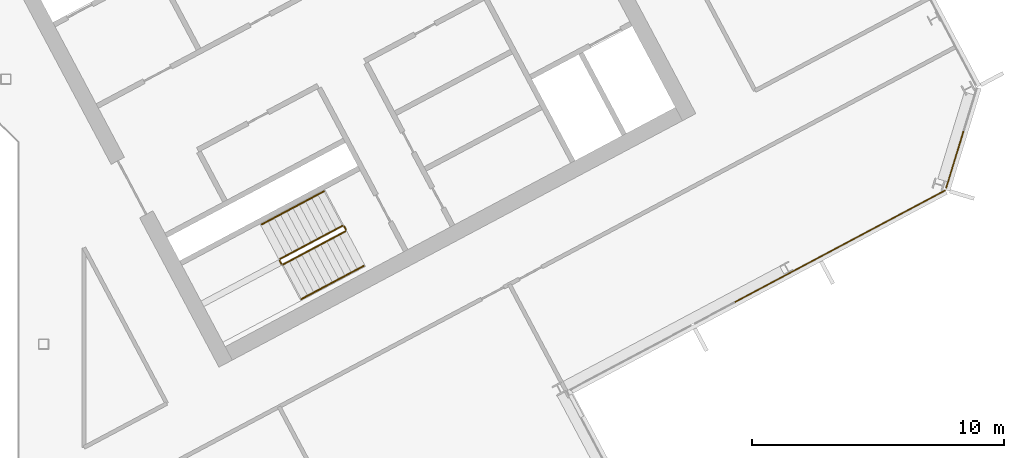
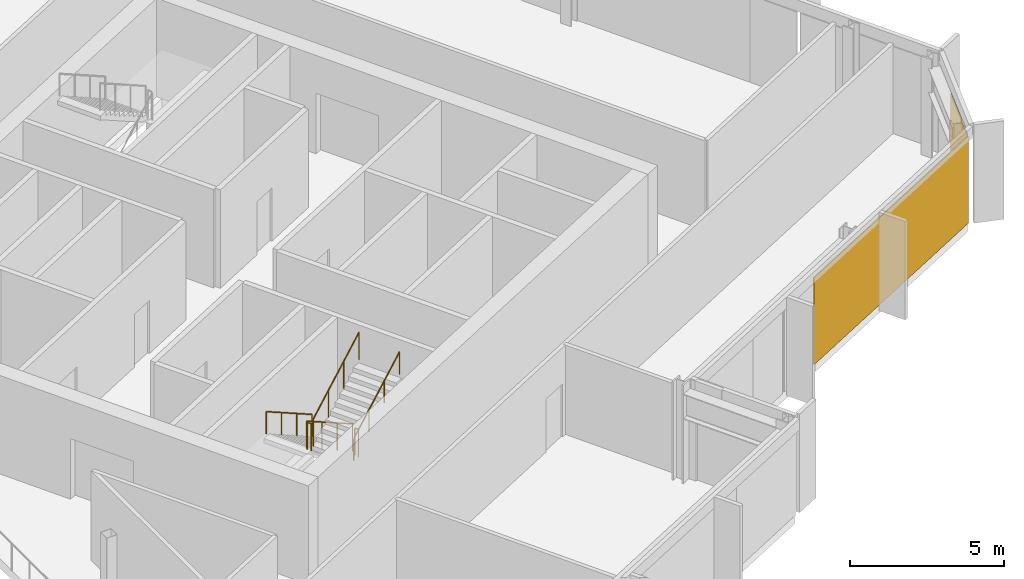
# One storey, part 24 of 26: 6 railings, 2 coverings, 2 elements without a shape of their own.
"""IFC4 building model written with IfcOpenShell, lengths in metres."""

from ifc_helpers import new_model, si_unit, direction, frame, origin, origin_2d, place, context, subcontext, project, spatial, polyline, rectangle, outline, extrude, material, layer, layer_set, type_object, element, aggregate, save


model = new_model("IFC4")

# Units and contexts
model_context = context("Model", 3, precision=1e-05, world=origin(), true_north=direction((0.0, 1.0)))
body_context = subcontext(model_context, "Body", "Model", "MODEL_VIEW")
ifc_project = project(units=[si_unit("LENGTHUNIT", "METRE"), si_unit("AREAUNIT", "SQUARE_METRE"), si_unit("VOLUMEUNIT", "CUBIC_METRE"), si_unit("PLANEANGLEUNIT", "RADIAN"), si_unit("MASSUNIT", "GRAM", prefix="KILO")], contexts=[model_context])

# Site, building, storey
site_placement = place(None, origin())
site = spatial("IfcSite", under=ifc_project, at=site_placement, CompositionType="ELEMENT")
building_placement = place(site_placement, origin())
building = spatial("IfcBuilding", under=site, at=building_placement, Name="Cormorant Relay Tower", CompositionType="ELEMENT")
storey_placement = place(building_placement, frame((0.0, 0.0, 228.60009765625)))
storey = spatial("IfcBuildingStorey", under=building, at=storey_placement, Name="L50", CompositionType="ELEMENT", Elevation=228.60009765625)

# Curtain wall, covering
ifc_material_1 = material(Name="Aluminium 6063-T6 anodised bronze", Category="aluminium")
ifc_layer_1 = layer(ifc_material_1, 0.199951171875)
ifc_layer_set_1 = layer_set([ifc_layer_1], Name="CW1 unitised bronze curtain wall with vertical fins")
curtain_wall_type = type_object("IfcCurtainWallType", Name="CW1 unitised bronze curtain wall with vertical fins", PredefinedType="NOTDEFINED", material=ifc_layer_set_1)
curtain_wall_1_placement = place(storey_placement, origin())
curtain_wall_1 = element("IfcCurtainWall", 1, at=curtain_wall_1_placement, inside=storey, type_object=curtain_wall_type, Name="CW1 curtain wall 4", PredefinedType="NOTDEFINED")
ifc_material_2 = material(Name="Pale bronze anodised aluminium insulated panel", Category="aluminium")
ifc_layer_2 = layer(ifc_material_2, 0.0400390625)
ifc_layer_set_2 = layer_set([ifc_layer_2], Name="CW1 pale bronze insulated panel 40")
covering_type = type_object("IfcCoveringType", Name="CW1 pale bronze insulated panel 40", PredefinedType="CLADDING", material=ifc_layer_set_2)
covering_1_placement = place(storey_placement, frame((43.54736328125, 3.878173828125, 0.0), z_axis=(0.0, 0.0, 1.0), x_axis=(0.882947592859, 0.469471562786, 0.0)))
covering_1 = element("IfcCovering", 2, at=covering_1_placement, type_object=covering_type, Name="CW1 panel S03", PredefinedType="CLADDING", context=body_context, shape_type="SweptSolid", body=[
    extrude(rectangle(XDim=9.458251953125, YDim=0.0400390625, at=origin_2d()), origin(), (0.0, 0.0, 1.0), 3.449951171875),
])
aggregate(curtain_wall_1, [covering_1])

curtain_wall_2_placement = place(storey_placement, origin())
curtain_wall_2 = element("IfcCurtainWall", 3, at=curtain_wall_2_placement, inside=storey, type_object=curtain_wall_type, Name="CW1 curtain wall 5", PredefinedType="NOTDEFINED")
covering_2_placement = place(storey_placement, frame((48.100830078125, 7.314208984375, 0.0), z_axis=(0.0, 0.0, 1.0), x_axis=(0.292371704723, 0.956304755963, 0.0)))
covering_2 = element("IfcCovering", 4, at=covering_2_placement, type_object=covering_type, Name="CW1 panel S00", PredefinedType="CLADDING", context=body_context, shape_type="SweptSolid", body=[
    extrude(rectangle(XDim=2.36767578125, YDim=0.0400390625, at=origin_2d()), origin(), (0.0, 0.0, 1.0), 3.449951171875),
])
aggregate(curtain_wall_2, [covering_2])

# Railings
ifc_material_3 = material(Name="Steel ASTM A572 Grade 50 (Fy 345 MPa)", Category="steel")
railing_type_1 = type_object("IfcRailingType", Name="Stair guard 1100", PredefinedType="GUARDRAIL", material=ifc_material_3)
railing_1_placement = place(storey_placement, frame((23.83837890625, 4.6904296875, 0.17724609375)))
element("IfcRailing", 5, at=railing_1_placement, inside=storey, type_object=railing_type_1, Name="L50 B1 stair guard 1", PredefinedType="GUARDRAIL", context=body_context, shape_type="SweptSolid", body=[
    extrude(outline(polyline([(0.022216796875, 0.00927734375), (0.00927734375, 0.022216796875), (-0.00927734375, 0.022216796875), (-0.022216796875, 0.00927734375), (-0.022216796875, -0.00927734375), (-0.00927734375, -0.022216796875), (0.00927734375, -0.022216796875), (0.022216796875, -0.00927734375), (0.022216796875, 0.00927734375)])), frame((0.0, 0.0, 1.076171875), z_axis=(-0.746033882577, -0.396627473466, 0.534901947407), x_axis=(0.469429322983, -0.882970050864, 0.0)), (0.0, 0.0, 1.0), 3.31396484375),
    extrude(outline(polyline([(0.019287109375, 0.008056640625), (0.008056640625, 0.019287109375), (-0.008056640625, 0.019287109375), (-0.019287109375, 0.008056640625), (-0.019287109375, -0.008056640625), (-0.008056640625, -0.019287109375), (0.008056640625, -0.019287109375), (0.019287109375, -0.008056640625), (0.019287109375, 0.008056640625)])), origin(), (0.0, 0.0, 1.0), 1.052001953125),
    extrude(outline(polyline([(0.019287109375, 0.008056640625), (0.008056640625, 0.019287109375), (-0.008056640625, 0.019287109375), (-0.019287109375, 0.008056640625), (-0.019287109375, -0.008056640625), (-0.008056640625, -0.019287109375), (0.008056640625, -0.019287109375), (0.019287109375, -0.008056640625), (0.019287109375, 0.008056640625)])), frame((-0.82421875, -0.438232421875, 0.5908203125)), (0.0, 0.0, 1.0), 1.052001953125),
    extrude(outline(polyline([(0.019287109375, 0.008056640625), (0.008056640625, 0.019287109375), (-0.008056640625, 0.019287109375), (-0.019287109375, 0.008056640625), (-0.019287109375, -0.008056640625), (-0.008056640625, -0.019287109375), (0.008056640625, -0.019287109375), (0.019287109375, -0.008056640625), (0.019287109375, 0.008056640625)])), frame((-1.648193359375, -0.876220703125, 1.181884765625)), (0.0, 0.0, 1.0), 1.052001953125),
    extrude(outline(polyline([(0.019287109375, 0.008056640625), (0.008056640625, 0.019287109375), (-0.008056640625, 0.019287109375), (-0.019287109375, 0.008056640625), (-0.019287109375, -0.008056640625), (-0.008056640625, -0.019287109375), (0.008056640625, -0.019287109375), (0.019287109375, -0.008056640625), (0.019287109375, 0.008056640625)])), frame((-2.472412109375, -1.314453125, 1.772705078125)), (0.0, 0.0, 1.0), 1.052001953125),
])
railing_2_placement = place(storey_placement, frame((21.345458984375, 3.308349609375, 1.949951171875)))
element("IfcRailing", 6, at=railing_2_placement, inside=storey, type_object=railing_type_1, Name="L50 B1 stair guard 2", PredefinedType="GUARDRAIL", context=body_context, shape_type="SweptSolid", body=[
    extrude(outline(polyline([(0.022216796875, 0.00927734375), (0.00927734375, 0.022216796875), (-0.00927734375, 0.022216796875), (-0.022216796875, 0.00927734375), (-0.022216796875, -0.00927734375), (-0.00927734375, -0.022216796875), (0.00927734375, -0.022216796875), (0.022216796875, -0.00927734375), (0.022216796875, 0.00927734375)])), frame((0.0, 0.0, 1.076171875), z_axis=(0.46856034887, -0.8834314911, 0.0), x_axis=(0.8834314911, 0.46856034887, 0.0)), (0.0, 0.0, 1.0), 0.150146484375),
    extrude(outline(polyline([(0.019287109375, 0.008056640625), (0.008056640625, 0.019287109375), (-0.008056640625, 0.019287109375), (-0.019287109375, 0.008056640625), (-0.019287109375, -0.008056640625), (-0.008056640625, -0.019287109375), (0.008056640625, -0.019287109375), (0.019287109375, -0.008056640625), (0.019287109375, 0.008056640625)])), origin(), (0.0, 0.0, 1.0), 1.052001953125),
    extrude(outline(polyline([(0.019287109375, 0.008056640625), (0.008056640625, 0.019287109375), (-0.008056640625, 0.019287109375), (-0.019287109375, 0.008056640625), (-0.019287109375, -0.008056640625), (-0.008056640625, -0.019287109375), (0.008056640625, -0.019287109375), (0.019287109375, -0.008056640625), (0.019287109375, 0.008056640625)])), frame((0.0703125, -0.132568359375, 0.0)), (0.0, 0.0, 1.0), 1.052001953125),
])
railing_3_placement = place(storey_placement, frame((21.4833984375, 3.1552734375, 2.127197265625)))
element("IfcRailing", 7, at=railing_3_placement, inside=storey, type_object=railing_type_1, Name="L50 B1 stair guard 3", PredefinedType="GUARDRAIL", context=body_context, shape_type="SweptSolid", body=[
    extrude(outline(polyline([(0.022216796875, 0.00927734375), (0.00927734375, 0.022216796875), (-0.00927734375, 0.022216796875), (-0.022216796875, 0.00927734375), (-0.022216796875, -0.00927734375), (-0.00927734375, -0.022216796875), (0.00927734375, -0.022216796875), (0.022216796875, -0.00927734375), (0.022216796875, 0.00927734375)])), frame((0.0, 0.0, 1.076171875), z_axis=(0.746001213114, 0.396649272309, 0.534931345884), x_axis=(-0.469465464807, 0.882950835185, 0.0)), (0.0, 0.0, 1.0), 3.31396484375),
    extrude(outline(polyline([(0.019287109375, 0.008056640625), (0.008056640625, 0.019287109375), (-0.008056640625, 0.019287109375), (-0.019287109375, 0.008056640625), (-0.019287109375, -0.008056640625), (-0.008056640625, -0.019287109375), (0.008056640625, -0.019287109375), (0.019287109375, -0.008056640625), (0.019287109375, 0.008056640625)])), origin(), (0.0, 0.0, 1.0), 1.052001953125),
    extrude(outline(polyline([(0.019287109375, 0.008056640625), (0.008056640625, 0.019287109375), (-0.008056640625, 0.019287109375), (-0.019287109375, 0.008056640625), (-0.019287109375, -0.008056640625), (-0.008056640625, -0.019287109375), (0.008056640625, -0.019287109375), (0.019287109375, -0.008056640625), (0.019287109375, 0.008056640625)])), frame((0.823974609375, 0.438232421875, 0.5908203125)), (0.0, 0.0, 1.0), 1.052001953125),
    extrude(outline(polyline([(0.019287109375, 0.008056640625), (0.008056640625, 0.019287109375), (-0.008056640625, 0.019287109375), (-0.019287109375, 0.008056640625), (-0.019287109375, -0.008056640625), (-0.008056640625, -0.019287109375), (0.008056640625, -0.019287109375), (0.019287109375, -0.008056640625), (0.019287109375, 0.008056640625)])), frame((1.648193359375, 0.876220703125, 1.181884765625)), (0.0, 0.0, 1.0), 1.052001953125),
    extrude(outline(polyline([(0.019287109375, 0.008056640625), (0.008056640625, 0.019287109375), (-0.008056640625, 0.019287109375), (-0.019287109375, 0.008056640625), (-0.019287109375, -0.008056640625), (-0.008056640625, -0.019287109375), (0.008056640625, -0.019287109375), (0.019287109375, -0.008056640625), (0.019287109375, 0.008056640625)])), frame((2.47216796875, 1.314453125, 1.772705078125)), (0.0, 0.0, 1.0), 1.052001953125),
])
railing_4_placement = place(storey_placement, frame((23.906005859375, 4.669677734375, 0.0)))
element("IfcRailing", 8, at=railing_4_placement, inside=storey, type_object=railing_type_1, Name="L50 B1 stair guard 4", PredefinedType="GUARDRAIL", context=body_context, shape_type="SweptSolid", body=[
    extrude(outline(polyline([(0.022216796875, 0.00927734375), (0.00927734375, 0.022216796875), (-0.00927734375, 0.022216796875), (-0.022216796875, 0.00927734375), (-0.022216796875, -0.00927734375), (-0.00927734375, -0.022216796875), (0.00927734375, -0.022216796875), (0.022216796875, -0.00927734375), (0.022216796875, 0.00927734375)])), frame((0.0, 0.0, 1.076171875), z_axis=(0.469234640946, -0.883073525669, 0.0), x_axis=(0.883073525669, 0.469234640946, 0.0)), (0.0, 0.0, 1.0), 0.14990234375),
    extrude(outline(polyline([(0.019287109375, 0.008056640625), (0.008056640625, 0.019287109375), (-0.008056640625, 0.019287109375), (-0.019287109375, 0.008056640625), (-0.019287109375, -0.008056640625), (-0.008056640625, -0.019287109375), (0.008056640625, -0.019287109375), (0.019287109375, -0.008056640625), (0.019287109375, 0.008056640625)])), origin(), (0.0, 0.0, 1.0), 1.052001953125),
    extrude(outline(polyline([(0.019287109375, 0.008056640625), (0.008056640625, 0.019287109375), (-0.008056640625, 0.019287109375), (-0.019287109375, 0.008056640625), (-0.019287109375, -0.008056640625), (-0.008056640625, -0.019287109375), (0.008056640625, -0.019287109375), (0.019287109375, -0.008056640625), (0.019287109375, 0.008056640625)])), frame((0.0703125, -0.13232421875, 0.0)), (0.0, 0.0, 1.0), 1.052001953125),
])
ifc_material_4 = material(Name="Steel ASTM A572 Grade 50 (Fy 345 MPa)", Category="steel")
railing_type_2 = type_object("IfcRailingType", Name="Stair handrail 900", PredefinedType="HANDRAIL", material=ifc_material_4)
railing_5_placement = place(storey_placement, frame((23.110595703125, 6.05908203125, 0.17724609375)))
element("IfcRailing", 9, at=railing_5_placement, inside=storey, type_object=railing_type_2, Name="L50 B1 stair handrail 1", PredefinedType="HANDRAIL", context=body_context, shape_type="SweptSolid", body=[
    extrude(outline(polyline([(0.022216796875, 0.00927734375), (0.00927734375, 0.022216796875), (-0.00927734375, 0.022216796875), (-0.022216796875, 0.00927734375), (-0.022216796875, -0.00927734375), (-0.00927734375, -0.022216796875), (0.00927734375, -0.022216796875), (0.022216796875, -0.00927734375), (0.022216796875, 0.00927734375)])), frame((0.0, 0.0, 0.8759765625), z_axis=(-0.745979412481, -0.396711350603, 0.534915713414), x_axis=(0.469533439143, -0.882914689835, 0.0)), (0.0, 0.0, 1.0), 3.31396484375),
    extrude(outline(polyline([(0.019287109375, 0.008056640625), (0.008056640625, 0.019287109375), (-0.008056640625, 0.019287109375), (-0.019287109375, 0.008056640625), (-0.019287109375, -0.008056640625), (-0.008056640625, -0.019287109375), (0.008056640625, -0.019287109375), (0.019287109375, -0.008056640625), (0.019287109375, 0.008056640625)])), origin(), (0.0, 0.0, 1.0), 0.851806640625),
    extrude(outline(polyline([(0.019287109375, 0.008056640625), (0.008056640625, 0.019287109375), (-0.008056640625, 0.019287109375), (-0.019287109375, 0.008056640625), (-0.019287109375, -0.008056640625), (-0.008056640625, -0.019287109375), (0.008056640625, -0.019287109375), (0.019287109375, -0.008056640625), (0.019287109375, 0.008056640625)])), frame((-0.823974609375, -0.438232421875, 0.5908203125)), (0.0, 0.0, 1.0), 0.851806640625),
    extrude(outline(polyline([(0.019287109375, 0.008056640625), (0.008056640625, 0.019287109375), (-0.008056640625, 0.019287109375), (-0.019287109375, 0.008056640625), (-0.019287109375, -0.008056640625), (-0.008056640625, -0.019287109375), (0.008056640625, -0.019287109375), (0.019287109375, -0.008056640625), (0.019287109375, 0.008056640625)])), frame((-1.648193359375, -0.87646484375, 1.181884765625)), (0.0, 0.0, 1.0), 0.851806640625),
    extrude(outline(polyline([(0.019287109375, 0.008056640625), (0.008056640625, 0.019287109375), (-0.008056640625, 0.019287109375), (-0.019287109375, 0.008056640625), (-0.019287109375, -0.008056640625), (-0.008056640625, -0.019287109375), (0.008056640625, -0.019287109375), (0.019287109375, -0.008056640625), (0.019287109375, 0.008056640625)])), frame((-2.47216796875, -1.314697265625, 1.772705078125)), (0.0, 0.0, 1.0), 0.851806640625),
])
railing_6_placement = place(storey_placement, frame((22.211181640625, 1.78662109375, 2.127197265625)))
element("IfcRailing", 10, at=railing_6_placement, inside=storey, type_object=railing_type_2, Name="L50 B1 stair handrail 2", PredefinedType="HANDRAIL", context=body_context, shape_type="SweptSolid", body=[
    extrude(outline(polyline([(0.022216796875, 0.00927734375), (0.00927734375, 0.022216796875), (-0.00927734375, 0.022216796875), (-0.022216796875, 0.00927734375), (-0.022216796875, -0.00927734375), (-0.00927734375, -0.022216796875), (0.00927734375, -0.022216796875), (0.022216796875, -0.00927734375), (0.022216796875, 0.00927734375)])), frame((0.0, 0.0, 0.8759765625), z_axis=(0.746001213114, 0.396649272309, 0.534931345884), x_axis=(-0.469465464807, 0.882950835185, 0.0)), (0.0, 0.0, 1.0), 3.31396484375),
    extrude(outline(polyline([(0.019287109375, 0.008056640625), (0.008056640625, 0.019287109375), (-0.008056640625, 0.019287109375), (-0.019287109375, 0.008056640625), (-0.019287109375, -0.008056640625), (-0.008056640625, -0.019287109375), (0.008056640625, -0.019287109375), (0.019287109375, -0.008056640625), (0.019287109375, 0.008056640625)])), origin(), (0.0, 0.0, 1.0), 0.851806640625),
    extrude(outline(polyline([(0.019287109375, 0.008056640625), (0.008056640625, 0.019287109375), (-0.008056640625, 0.019287109375), (-0.019287109375, 0.008056640625), (-0.019287109375, -0.008056640625), (-0.008056640625, -0.019287109375), (0.008056640625, -0.019287109375), (0.019287109375, -0.008056640625), (0.019287109375, 0.008056640625)])), frame((0.823974609375, 0.438232421875, 0.5908203125)), (0.0, 0.0, 1.0), 0.851806640625),
    extrude(outline(polyline([(0.019287109375, 0.008056640625), (0.008056640625, 0.019287109375), (-0.008056640625, 0.019287109375), (-0.019287109375, 0.008056640625), (-0.019287109375, -0.008056640625), (-0.008056640625, -0.019287109375), (0.008056640625, -0.019287109375), (0.019287109375, -0.008056640625), (0.019287109375, 0.008056640625)])), frame((1.648193359375, 0.876220703125, 1.181884765625)), (0.0, 0.0, 1.0), 0.851806640625),
    extrude(outline(polyline([(0.019287109375, 0.008056640625), (0.008056640625, 0.019287109375), (-0.008056640625, 0.019287109375), (-0.019287109375, 0.008056640625), (-0.019287109375, -0.008056640625), (-0.008056640625, -0.019287109375), (0.008056640625, -0.019287109375), (0.019287109375, -0.008056640625), (0.019287109375, 0.008056640625)])), frame((2.47216796875, 1.314453125, 1.772705078125)), (0.0, 0.0, 1.0), 0.851806640625),
])

save(model, "model.ifc")
